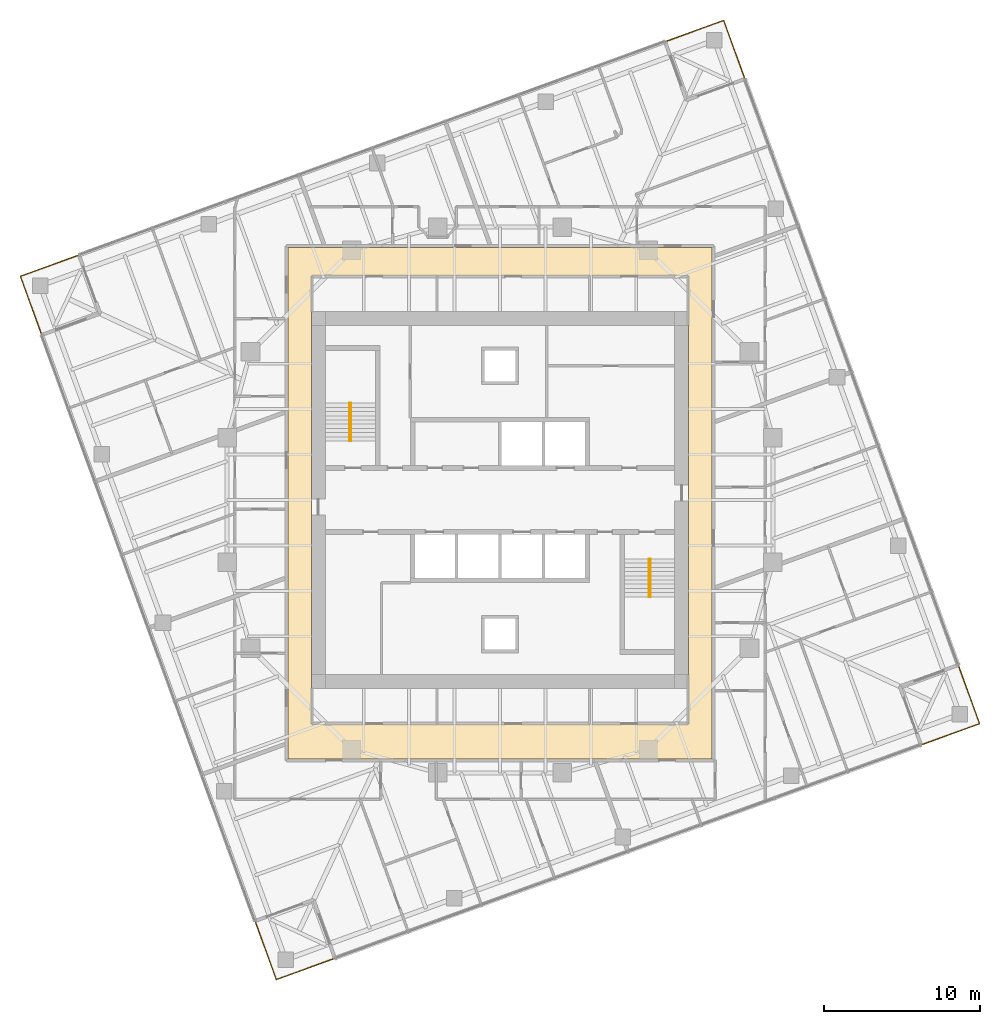
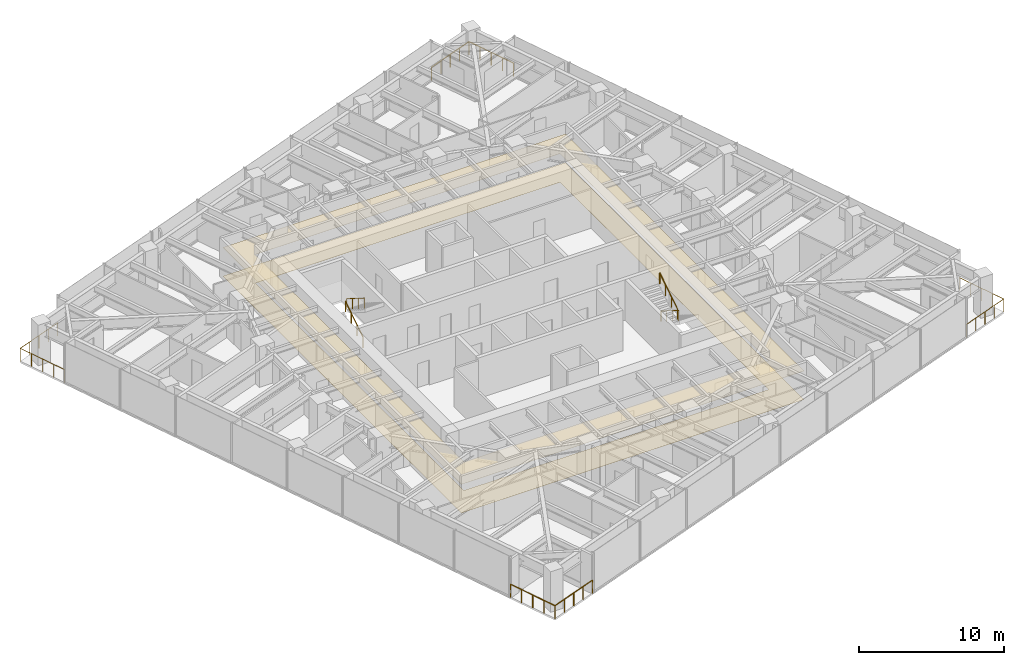
# One storey, part 13 of 13: 8 railings, 2 coverings, 2 elements without a shape of their own.
"""IFC4 building model written with IfcOpenShell, lengths in metres."""

from ifc_helpers import new_model, si_unit, direction, frame, origin, origin_2d, place, context, subcontext, project, spatial, polyline, circle, outline, extrude, material, layer, layer_set, type_object, element, aggregate, save


model = new_model("IFC4")

# Units and contexts
model_context = context("Model", 3, precision=1e-05, world=origin(), true_north=direction((0.0, 1.0)))
body_context = subcontext(model_context, "Body", "Model", "MODEL_VIEW")
ifc_project = project(units=[si_unit("LENGTHUNIT", "METRE"), si_unit("AREAUNIT", "SQUARE_METRE"), si_unit("VOLUMEUNIT", "CUBIC_METRE"), si_unit("PLANEANGLEUNIT", "RADIAN"), si_unit("MASSUNIT", "GRAM", prefix="KILO")], contexts=[model_context])

# Site, building, storey
site_placement = place(None, origin())
site = spatial("IfcSite", under=ifc_project, at=site_placement, CompositionType="ELEMENT")
building_placement = place(site_placement, origin())
building = spatial("IfcBuilding", under=site, at=building_placement, Name="Torsade Residences", CompositionType="ELEMENT")
storey_placement = place(building_placement, frame((0.0, 0.0, 143.800048828125)))
storey = spatial("IfcBuildingStorey", under=building, at=storey_placement, Name="L39", CompositionType="ELEMENT", Elevation=143.800048828125)

# Coverings
ifc_material_1 = material(Name="Nylon carpet tile on underlay", Category="textile")
ifc_layer_1 = layer(ifc_material_1, 0.010009765625)
ifc_layer_set_1 = layer_set([ifc_layer_1], Name="Nylon carpet tile on underlay")
covering_type_1 = type_object("IfcCoveringType", Name="CORRIDOR CARPET TILE 10", PredefinedType="FLOORING", material=ifc_layer_set_1)
covering_1_placement = place(storey_placement, origin())
element("IfcCovering", 1, at=covering_1_placement, inside=storey, type_object=covering_type_1, Name="Corridor carpet L39", PredefinedType="FLOORING", context=body_context, shape_type="SweptSolid", body=[
    extrude(outline(polyline([(26.39990234375, 46.199951171875), (26.39990234375, 13.39990234375), (53.60009765625, 13.39990234375), (53.60009765625, 46.199951171875), (26.39990234375, 46.199951171875)]), holes=[polyline([(52.10009765625, 44.35009765625), (27.89990234375, 44.35009765625), (27.89990234375, 15.64990234375), (52.10009765625, 15.64990234375), (52.10009765625, 44.35009765625)])]), origin(), (0.0, 0.0, 1.0), 0.010009765625),
])
ifc_material_2 = material(Name="Plasterboard on suspended steel grid", Category="steel")
ifc_layer_2 = layer(ifc_material_2, 0.012939453125)
ifc_layer_set_2 = layer_set([ifc_layer_2], Name="Plasterboard on suspended steel grid")
covering_type_2 = type_object("IfcCoveringType", Name="CORRIDOR SUSPENDED CEILING 13", PredefinedType="CEILING", material=ifc_layer_set_2)
covering_2_placement = place(storey_placement, frame((0.0, 0.0, 2.39990234375)))
element("IfcCovering", 2, at=covering_2_placement, inside=storey, type_object=covering_type_2, Name="Corridor ceiling L39", PredefinedType="CEILING", context=body_context, shape_type="SweptSolid", body=[
    extrude(outline(polyline([(26.39990234375, 46.199951171875), (26.39990234375, 13.39990234375), (53.60009765625, 13.39990234375), (53.60009765625, 46.199951171875), (26.39990234375, 46.199951171875)]), holes=[polyline([(52.10009765625, 44.35009765625), (27.89990234375, 44.35009765625), (27.89990234375, 15.64990234375), (52.10009765625, 15.64990234375), (52.10009765625, 44.35009765625)])]), origin(), (0.0, 0.0, 1.0), 0.012939453125),
])

# Stair, railings
ifc_material_3 = material(Name="Precast concrete 40 MPa", Category="concrete")
stair_type = type_object("IfcStairType", Name="HALF-TURN FIRE STAIR 1500x3400", PredefinedType="HALF_TURN_STAIR", material=ifc_material_3)
stair_1_placement = place(storey_placement, origin())
stair_1 = element("IfcStair", 3, at=stair_1_placement, inside=storey, type_object=stair_type, Name="Stair ST1 L39", PredefinedType="HALF_TURN_STAIR")
ifc_material_4 = material(Name="Steel handrail", Category="steel")
railing_type_1 = type_object("IfcRailingType", Name="STAIR HANDRAIL 900", PredefinedType="HANDRAIL", material=ifc_material_4)
railing_1_placement = place(storey_placement, frame((30.35009765625, 33.780029296875, 0.169921875)))
railing_1 = element("IfcRailing", 4, at=railing_1_placement, type_object=railing_type_1, Name="Handrail ST1 flight 1 L39", PredefinedType="HANDRAIL", context=body_context, shape_type="SweptSolid", body=[
    extrude(circle(Radius=0.02392578125, at=origin_2d()), frame((0.0, 0.0, 0.8759765625), z_axis=(0.0, 0.846221481393, 0.532831309544), x_axis=(-1.0, 0.0, 0.0)), (0.0, 0.0, 1.0), 2.87158203125),
    extrude(circle(Radius=0.02099609375, at=origin_2d()), origin(), (0.0, 0.0, 1.0), 0.851806640625),
    extrude(circle(Radius=0.02099609375, at=origin_2d()), frame((0.0, 0.81005859375, 0.510009765625)), (0.0, 0.0, 1.0), 0.851806640625),
    extrude(circle(Radius=0.02099609375, at=origin_2d()), frame((0.0, 1.619873046875, 1.02001953125)), (0.0, 0.0, 1.0), 0.851806640625),
    extrude(circle(Radius=0.02099609375, at=origin_2d()), frame((0.0, 2.429931640625, 1.530029296875)), (0.0, 0.0, 1.0), 0.851806640625),
])
railing_2_placement = place(storey_placement, frame((30.449951171875, 36.2099609375, 1.869873046875)))
railing_2 = element("IfcRailing", 5, at=railing_2_placement, type_object=railing_type_1, Name="Handrail ST1 flight 2 L39", PredefinedType="HANDRAIL", context=body_context, shape_type="SweptSolid", body=[
    extrude(circle(Radius=0.02392578125, at=origin_2d()), frame((0.0, 0.0, 0.8759765625), z_axis=(0.0, -0.846221481393, 0.532831309544), x_axis=(1.0, 0.0, 0.0)), (0.0, 0.0, 1.0), 2.87158203125),
    extrude(circle(Radius=0.02099609375, at=origin_2d()), origin(), (0.0, 0.0, 1.0), 0.851806640625),
    extrude(circle(Radius=0.02099609375, at=origin_2d()), frame((0.0, -0.81005859375, 0.510009765625)), (0.0, 0.0, 1.0), 0.851806640625),
    extrude(circle(Radius=0.02099609375, at=origin_2d()), frame((0.0, -1.619873046875, 1.02001953125)), (0.0, 0.0, 1.0), 0.851806640625),
    extrude(circle(Radius=0.02099609375, at=origin_2d()), frame((0.0, -2.429931640625, 1.530029296875)), (0.0, 0.0, 1.0), 0.851806640625),
])
aggregate(stair_1, [railing_1, railing_2])

stair_2_placement = place(storey_placement, origin())
stair_2 = element("IfcStair", 6, at=stair_2_placement, inside=storey, type_object=stair_type, Name="Stair ST2 L39", PredefinedType="HALF_TURN_STAIR")
railing_3_placement = place(storey_placement, frame((49.64990234375, 26.219970703125, 0.169921875)))
railing_3 = element("IfcRailing", 7, at=railing_3_placement, type_object=railing_type_1, Name="Handrail ST2 flight 1 L39", PredefinedType="HANDRAIL", context=body_context, shape_type="SweptSolid", body=[
    extrude(circle(Radius=0.02392578125, at=origin_2d()), frame((0.0, 0.0, 0.8759765625), z_axis=(0.0, -0.846221481393, 0.532831309544), x_axis=(1.0, 0.0, 0.0)), (0.0, 0.0, 1.0), 2.87158203125),
    extrude(circle(Radius=0.02099609375, at=origin_2d()), origin(), (0.0, 0.0, 1.0), 0.851806640625),
    extrude(circle(Radius=0.02099609375, at=origin_2d()), frame((0.0, -0.81005859375, 0.510009765625)), (0.0, 0.0, 1.0), 0.851806640625),
    extrude(circle(Radius=0.02099609375, at=origin_2d()), frame((0.0, -1.619873046875, 1.02001953125)), (0.0, 0.0, 1.0), 0.851806640625),
    extrude(circle(Radius=0.02099609375, at=origin_2d()), frame((0.0, -2.429931640625, 1.530029296875)), (0.0, 0.0, 1.0), 0.851806640625),
])
railing_4_placement = place(storey_placement, frame((49.550048828125, 23.7900390625, 1.869873046875)))
railing_4 = element("IfcRailing", 8, at=railing_4_placement, type_object=railing_type_1, Name="Handrail ST2 flight 2 L39", PredefinedType="HANDRAIL", context=body_context, shape_type="SweptSolid", body=[
    extrude(circle(Radius=0.02392578125, at=origin_2d()), frame((0.0, 0.0, 0.8759765625), z_axis=(0.0, 0.846221481393, 0.532831309544), x_axis=(-1.0, 0.0, 0.0)), (0.0, 0.0, 1.0), 2.87158203125),
    extrude(circle(Radius=0.02099609375, at=origin_2d()), origin(), (0.0, 0.0, 1.0), 0.851806640625),
    extrude(circle(Radius=0.02099609375, at=origin_2d()), frame((0.0, 0.81005859375, 0.510009765625)), (0.0, 0.0, 1.0), 0.851806640625),
    extrude(circle(Radius=0.02099609375, at=origin_2d()), frame((0.0, 1.619873046875, 1.02001953125)), (0.0, 0.0, 1.0), 0.851806640625),
    extrude(circle(Radius=0.02099609375, at=origin_2d()), frame((0.0, 2.429931640625, 1.530029296875)), (0.0, 0.0, 1.0), 0.851806640625),
])
aggregate(stair_2, [railing_3, railing_4])

# Railings
ifc_material_5 = material(Name="Laminated glass balustrade", Category="glass")
railing_type_2 = type_object("IfcRailingType", Name="TERRACE GLASS BALUSTRADE 1100", PredefinedType="BALUSTRADE", material=ifc_material_5)
railing_5_placement = place(storey_placement, frame((67.00244140625, 14.287841796875, 0.0)))
element("IfcRailing", 9, at=railing_5_placement, inside=storey, type_object=railing_type_2, Name="Terrace balustrade SE L39", PredefinedType="BALUSTRADE", context=body_context, shape_type="SweptSolid", body=[
    extrude(circle(Radius=0.02392578125, at=origin_2d()), frame((0.0, 0.0, 1.076171875), z_axis=(0.939698932726, 0.342002800914, 0.0), x_axis=(-0.342002800914, 0.939698932726, 0.0)), (0.0, 0.0, 1.0), 3.999755859375),
    extrude(circle(Radius=0.02392578125, at=origin_2d()), frame((3.758544921875, 1.367919921875, 1.076171875), z_axis=(-0.341983185197, 0.939706071622, 0.0), x_axis=(-0.939706071622, -0.341983185197, 0.0)), (0.0, 0.0, 1.0), 4.0),
    extrude(circle(Radius=0.02099609375, at=origin_2d()), origin(), (0.0, 0.0, 1.0), 1.052001953125),
    extrude(circle(Radius=0.02099609375, at=origin_2d()), frame((0.939697265625, 0.342041015625, 0.0)), (0.0, 0.0, 1.0), 1.052001953125),
    extrude(circle(Radius=0.02099609375, at=origin_2d()), frame((1.87939453125, 0.68408203125, 0.0)), (0.0, 0.0, 1.0), 1.052001953125),
    extrude(circle(Radius=0.02099609375, at=origin_2d()), frame((2.81884765625, 1.02587890625, 0.0)), (0.0, 0.0, 1.0), 1.052001953125),
    extrude(circle(Radius=0.02099609375, at=origin_2d()), frame((3.758544921875, 1.367919921875, 0.0)), (0.0, 0.0, 1.0), 1.052001953125),
    extrude(circle(Radius=0.02099609375, at=origin_2d()), frame((3.41650390625, 2.3076171875, 0.0)), (0.0, 0.0, 1.0), 1.052001953125),
    extrude(circle(Radius=0.02099609375, at=origin_2d()), frame((3.07470703125, 3.247314453125, 0.0)), (0.0, 0.0, 1.0), 1.052001953125),
    extrude(circle(Radius=0.02099609375, at=origin_2d()), frame((2.732666015625, 4.18701171875, 0.0)), (0.0, 0.0, 1.0), 1.052001953125),
    extrude(circle(Radius=0.02099609375, at=origin_2d()), frame((2.390625, 5.126708984375, 0.0)), (0.0, 0.0, 1.0), 1.052001953125),
])
railing_6_placement = place(storey_placement, frame((55.712158203125, 57.00244140625, 0.0)))
element("IfcRailing", 10, at=railing_6_placement, inside=storey, type_object=railing_type_2, Name="Terrace balustrade NE L39", PredefinedType="BALUSTRADE", context=body_context, shape_type="SweptSolid", body=[
    extrude(circle(Radius=0.02392578125, at=origin_2d()), frame((0.0, 0.0, 1.076171875), z_axis=(-0.342002800914, 0.939698932726, 0.0), x_axis=(-0.939698932726, -0.342002800914, 0.0)), (0.0, 0.0, 1.0), 3.999755859375),
    extrude(circle(Radius=0.02392578125, at=origin_2d()), frame((-1.367919921875, 3.758544921875, 1.076171875), z_axis=(-0.939706071622, -0.341983185197, 0.0), x_axis=(0.341983185197, -0.939706071622, 0.0)), (0.0, 0.0, 1.0), 4.0),
    extrude(circle(Radius=0.02099609375, at=origin_2d()), origin(), (0.0, 0.0, 1.0), 1.052001953125),
    extrude(circle(Radius=0.02099609375, at=origin_2d()), frame((-0.342041015625, 0.939697265625, 0.0)), (0.0, 0.0, 1.0), 1.052001953125),
    extrude(circle(Radius=0.02099609375, at=origin_2d()), frame((-0.68408203125, 1.87939453125, 0.0)), (0.0, 0.0, 1.0), 1.052001953125),
    extrude(circle(Radius=0.02099609375, at=origin_2d()), frame((-1.02587890625, 2.81884765625, 0.0)), (0.0, 0.0, 1.0), 1.052001953125),
    extrude(circle(Radius=0.02099609375, at=origin_2d()), frame((-1.367919921875, 3.758544921875, 0.0)), (0.0, 0.0, 1.0), 1.052001953125),
    extrude(circle(Radius=0.02099609375, at=origin_2d()), frame((-2.3076171875, 3.41650390625, 0.0)), (0.0, 0.0, 1.0), 1.052001953125),
    extrude(circle(Radius=0.02099609375, at=origin_2d()), frame((-3.247314453125, 3.07470703125, 0.0)), (0.0, 0.0, 1.0), 1.052001953125),
    extrude(circle(Radius=0.02099609375, at=origin_2d()), frame((-4.18701171875, 2.732666015625, 0.0)), (0.0, 0.0, 1.0), 1.052001953125),
    extrude(circle(Radius=0.02099609375, at=origin_2d()), frame((-5.126708984375, 2.390625, 0.0)), (0.0, 0.0, 1.0), 1.052001953125),
])
railing_7_placement = place(storey_placement, frame((12.99755859375, 45.712158203125, 0.0)))
element("IfcRailing", 11, at=railing_7_placement, inside=storey, type_object=railing_type_2, Name="Terrace balustrade NW L39", PredefinedType="BALUSTRADE", context=body_context, shape_type="SweptSolid", body=[
    extrude(circle(Radius=0.02392578125, at=origin_2d()), frame((0.0, 0.0, 1.076171875), z_axis=(-0.939698932726, -0.342002800914, 0.0), x_axis=(0.342002800914, -0.939698932726, 0.0)), (0.0, 0.0, 1.0), 3.999755859375),
    extrude(circle(Radius=0.02392578125, at=origin_2d()), frame((-3.758544921875, -1.367919921875, 1.076171875), z_axis=(0.341983185197, -0.939706071622, 0.0), x_axis=(0.939706071622, 0.341983185197, 0.0)), (0.0, 0.0, 1.0), 4.0),
    extrude(circle(Radius=0.02099609375, at=origin_2d()), origin(), (0.0, 0.0, 1.0), 1.052001953125),
    extrude(circle(Radius=0.02099609375, at=origin_2d()), frame((-0.939697265625, -0.342041015625, 0.0)), (0.0, 0.0, 1.0), 1.052001953125),
    extrude(circle(Radius=0.02099609375, at=origin_2d()), frame((-1.87939453125, -0.68408203125, 0.0)), (0.0, 0.0, 1.0), 1.052001953125),
    extrude(circle(Radius=0.02099609375, at=origin_2d()), frame((-2.81884765625, -1.02587890625, 0.0)), (0.0, 0.0, 1.0), 1.052001953125),
    extrude(circle(Radius=0.02099609375, at=origin_2d()), frame((-3.758544921875, -1.367919921875, 0.0)), (0.0, 0.0, 1.0), 1.052001953125),
    extrude(circle(Radius=0.02099609375, at=origin_2d()), frame((-3.41650390625, -2.3076171875, 0.0)), (0.0, 0.0, 1.0), 1.052001953125),
    extrude(circle(Radius=0.02099609375, at=origin_2d()), frame((-3.07470703125, -3.247314453125, 0.0)), (0.0, 0.0, 1.0), 1.052001953125),
    extrude(circle(Radius=0.02099609375, at=origin_2d()), frame((-2.732666015625, -4.18701171875, 0.0)), (0.0, 0.0, 1.0), 1.052001953125),
    extrude(circle(Radius=0.02099609375, at=origin_2d()), frame((-2.390625, -5.126708984375, 0.0)), (0.0, 0.0, 1.0), 1.052001953125),
])
railing_8_placement = place(storey_placement, frame((24.287841796875, 2.99755859375, 0.0)))
element("IfcRailing", 12, at=railing_8_placement, inside=storey, type_object=railing_type_2, Name="Terrace balustrade SW L39", PredefinedType="BALUSTRADE", context=body_context, shape_type="SweptSolid", body=[
    extrude(circle(Radius=0.02392578125, at=origin_2d()), frame((0.0, 0.0, 1.076171875), z_axis=(0.342002800914, -0.939698932726, 0.0), x_axis=(0.939698932726, 0.342002800914, 0.0)), (0.0, 0.0, 1.0), 3.999755859375),
    extrude(circle(Radius=0.02392578125, at=origin_2d()), frame((1.367919921875, -3.758544921875, 1.076171875), z_axis=(0.939706071622, 0.341983185197, 0.0), x_axis=(-0.341983185197, 0.939706071622, 0.0)), (0.0, 0.0, 1.0), 4.0),
    extrude(circle(Radius=0.02099609375, at=origin_2d()), origin(), (0.0, 0.0, 1.0), 1.052001953125),
    extrude(circle(Radius=0.02099609375, at=origin_2d()), frame((0.342041015625, -0.939697265625, 0.0)), (0.0, 0.0, 1.0), 1.052001953125),
    extrude(circle(Radius=0.02099609375, at=origin_2d()), frame((0.68408203125, -1.87939453125, 0.0)), (0.0, 0.0, 1.0), 1.052001953125),
    extrude(circle(Radius=0.02099609375, at=origin_2d()), frame((1.02587890625, -2.81884765625, 0.0)), (0.0, 0.0, 1.0), 1.052001953125),
    extrude(circle(Radius=0.02099609375, at=origin_2d()), frame((1.367919921875, -3.758544921875, 0.0)), (0.0, 0.0, 1.0), 1.052001953125),
    extrude(circle(Radius=0.02099609375, at=origin_2d()), frame((2.3076171875, -3.41650390625, 0.0)), (0.0, 0.0, 1.0), 1.052001953125),
    extrude(circle(Radius=0.02099609375, at=origin_2d()), frame((3.247314453125, -3.07470703125, 0.0)), (0.0, 0.0, 1.0), 1.052001953125),
    extrude(circle(Radius=0.02099609375, at=origin_2d()), frame((4.18701171875, -2.732666015625, 0.0)), (0.0, 0.0, 1.0), 1.052001953125),
    extrude(circle(Radius=0.02099609375, at=origin_2d()), frame((5.126708984375, -2.390625, 0.0)), (0.0, 0.0, 1.0), 1.052001953125),
])

save(model, "model.ifc")
